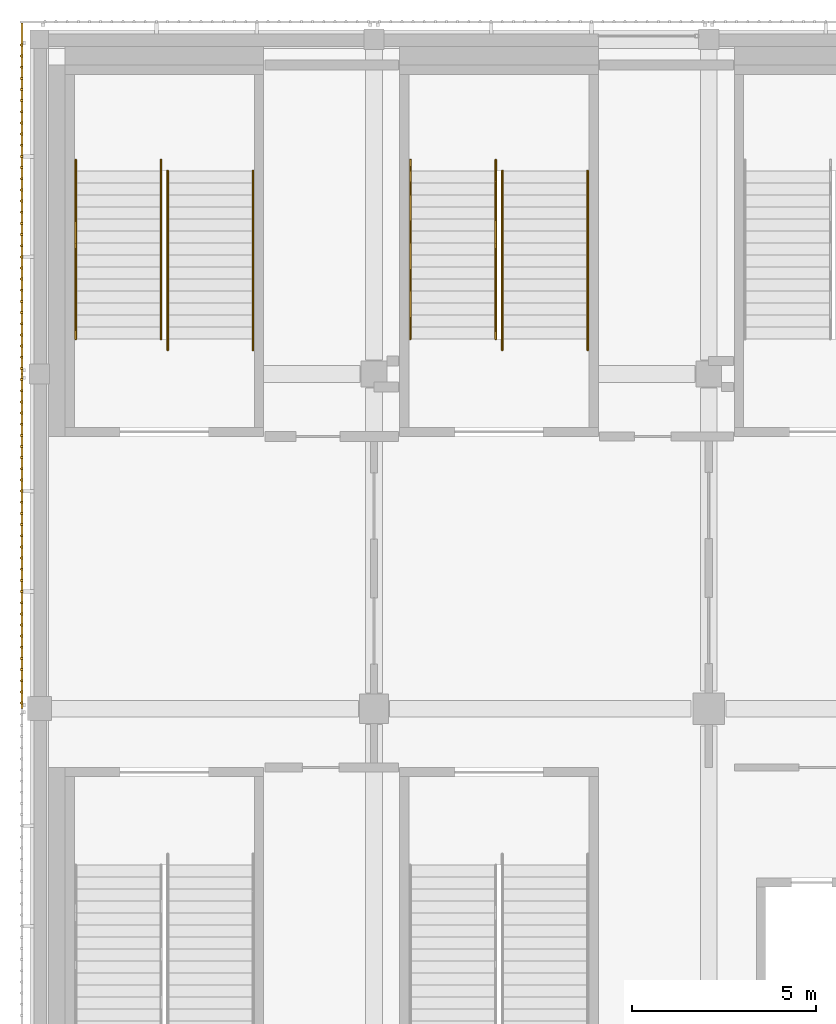
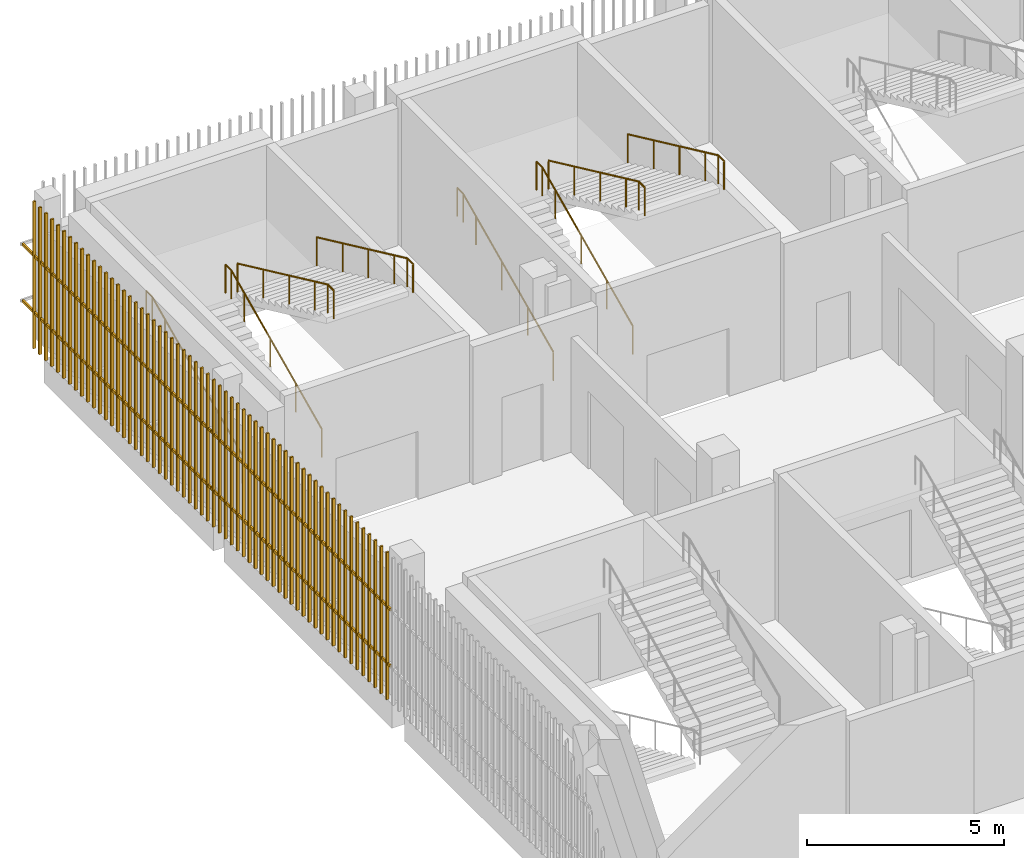
# One storey, part 114 of 126: 8 railings, 2 shading devices.
"""IFC4 building model written with IfcOpenShell, lengths in metres."""

from ifc_helpers import new_model, si_unit, direction, frame, origin, origin_2d, place, context, subcontext, project, spatial, rectangle, circle, extrude, material, type_object, element, save


model = new_model("IFC4")

# Units and contexts
model_context = context("Model", 3, precision=1e-05, world=origin(), true_north=direction((0.0, 1.0)))
body_context = subcontext(model_context, "Body", "Model", "MODEL_VIEW")
ifc_project = project(units=[si_unit("LENGTHUNIT", "METRE"), si_unit("AREAUNIT", "SQUARE_METRE"), si_unit("VOLUMEUNIT", "CUBIC_METRE"), si_unit("PLANEANGLEUNIT", "RADIAN"), si_unit("MASSUNIT", "GRAM", prefix="KILO")], contexts=[model_context])

# Site, building, storey
site_placement = place(None, origin())
site = spatial("IfcSite", under=ifc_project, at=site_placement, CompositionType="ELEMENT")
building_placement = place(site_placement, origin())
building = spatial("IfcBuilding", under=site, at=building_placement, Name="Shirokan Park Arena", CompositionType="ELEMENT")
storey_placement = place(building_placement, frame((0.0, 0.0, 6.3701171875)))
storey = spatial("IfcBuildingStorey", under=building, at=storey_placement, Name="L01", CompositionType="ELEMENT", Elevation=6.3701171875)

# Railings
ifc_material_1 = material(Name="Stainless steel", Category="steel")
railing_type = type_object("IfcRailingType", Name="Stair handrail 900", PredefinedType="HANDRAIL", material=ifc_material_1)
railing_1_placement = place(storey_placement, frame((0.989990234375, 101.050048828125, 0.151611328125)))
element("IfcRailing", 1, at=railing_1_placement, inside=storey, type_object=railing_type, Name="Handrail Exit Stair 4.A L01 to L02", PredefinedType="HANDRAIL", context=body_context, shape_type="SweptSolid", body=[
    extrude(circle(Radius=0.02392578125, at=origin_2d()), frame((0.0, 0.0, 0.8759765625), z_axis=(0.0, 0.906999720516, 0.421131222998), x_axis=(-1.0, 0.0, 0.0)), (0.0, 0.0, 1.0), 1.440673828125),
    extrude(circle(Radius=0.02392578125, at=origin_2d()), frame((0.0, 1.306640625, 1.482421875), z_axis=(0.0, 0.907029769225, 0.421066500378), x_axis=(-1.0, 0.0, 0.0)), (0.0, 0.0, 1.0), 1.44091796875),
    extrude(circle(Radius=0.02392578125, at=origin_2d()), frame((0.0, 2.613525390625, 2.08935546875), z_axis=(0.0, 0.907094476872, 0.420927083981), x_axis=(-1.0, 0.0, 0.0)), (0.0, 0.0, 1.0), 1.440673828125),
    extrude(circle(Radius=0.02392578125, at=origin_2d()), frame((0.0, 3.92041015625, 2.69580078125), z_axis=(0.0, 0.906934982928, 0.421270621741), x_axis=(-1.0, 0.0, 0.0)), (0.0, 0.0, 1.0), 0.720458984375),
    extrude(circle(Radius=0.02392578125, at=origin_2d()), frame((0.0, 4.57373046875, 2.9990234375), z_axis=(0.0, 1.0, 0.0), x_axis=(-1.0, 0.0, 0.0)), (0.0, 0.0, 1.0), 0.300048828125),
    extrude(circle(Radius=0.02099609375, at=origin_2d()), origin(), (0.0, 0.0, 1.0), 0.851806640625),
    extrude(circle(Radius=0.02099609375, at=origin_2d()), frame((0.0, 1.306640625, 0.606689453125)), (0.0, 0.0, 1.0), 0.851806640625),
    extrude(circle(Radius=0.02099609375, at=origin_2d()), frame((0.0, 2.613525390625, 1.21337890625)), (0.0, 0.0, 1.0), 0.851806640625),
    extrude(circle(Radius=0.02099609375, at=origin_2d()), frame((0.0, 3.92041015625, 1.81982421875)), (0.0, 0.0, 1.0), 0.851806640625),
    extrude(circle(Radius=0.02099609375, at=origin_2d()), frame((0.0, 4.57373046875, 2.123291015625)), (0.0, 0.0, 1.0), 0.851806640625),
    extrude(circle(Radius=0.02099609375, at=origin_2d()), frame((0.0, 4.873779296875, 2.123291015625)), (0.0, 0.0, 1.0), 0.851806640625),
])
railing_2_placement = place(storey_placement, frame((3.31005859375, 101.050048828125, 0.151611328125)))
element("IfcRailing", 2, at=railing_2_placement, inside=storey, type_object=railing_type, Name="Handrail Exit Stair 4.A L01 to L02", PredefinedType="HANDRAIL", context=body_context, shape_type="SweptSolid", body=[
    extrude(circle(Radius=0.02392578125, at=origin_2d()), frame((0.0, 0.0, 0.8759765625), z_axis=(0.0, 0.906999720516, 0.421131222998), x_axis=(-1.0, 0.0, 0.0)), (0.0, 0.0, 1.0), 1.440673828125),
    extrude(circle(Radius=0.02392578125, at=origin_2d()), frame((0.0, 1.306640625, 1.482421875), z_axis=(0.0, 0.907029769225, 0.421066500378), x_axis=(-1.0, 0.0, 0.0)), (0.0, 0.0, 1.0), 1.44091796875),
    extrude(circle(Radius=0.02392578125, at=origin_2d()), frame((0.0, 2.613525390625, 2.08935546875), z_axis=(0.0, 0.907094476872, 0.420927083981), x_axis=(-1.0, 0.0, 0.0)), (0.0, 0.0, 1.0), 1.440673828125),
    extrude(circle(Radius=0.02392578125, at=origin_2d()), frame((0.0, 3.92041015625, 2.69580078125), z_axis=(0.0, 0.906934982928, 0.421270621741), x_axis=(-1.0, 0.0, 0.0)), (0.0, 0.0, 1.0), 0.720458984375),
    extrude(circle(Radius=0.02392578125, at=origin_2d()), frame((0.0, 4.57373046875, 2.9990234375), z_axis=(0.0, 1.0, 0.0), x_axis=(-1.0, 0.0, 0.0)), (0.0, 0.0, 1.0), 0.300048828125),
    extrude(circle(Radius=0.02099609375, at=origin_2d()), origin(), (0.0, 0.0, 1.0), 0.851806640625),
    extrude(circle(Radius=0.02099609375, at=origin_2d()), frame((0.0, 1.306640625, 0.606689453125)), (0.0, 0.0, 1.0), 0.851806640625),
    extrude(circle(Radius=0.02099609375, at=origin_2d()), frame((0.0, 2.613525390625, 1.21337890625)), (0.0, 0.0, 1.0), 0.851806640625),
    extrude(circle(Radius=0.02099609375, at=origin_2d()), frame((0.0, 3.92041015625, 1.81982421875)), (0.0, 0.0, 1.0), 0.851806640625),
    extrude(circle(Radius=0.02099609375, at=origin_2d()), frame((0.0, 4.57373046875, 2.123291015625)), (0.0, 0.0, 1.0), 0.851806640625),
    extrude(circle(Radius=0.02099609375, at=origin_2d()), frame((0.0, 4.873779296875, 2.123291015625)), (0.0, 0.0, 1.0), 0.851806640625),
])
railing_3_placement = place(storey_placement, frame((3.489990234375, 105.623779296875, 2.426513671875)))
element("IfcRailing", 3, at=railing_3_placement, inside=storey, type_object=railing_type, Name="Handrail Exit Stair 4.A L01 to L02", PredefinedType="HANDRAIL", context=body_context, shape_type="SweptSolid", body=[
    extrude(circle(Radius=0.02392578125, at=origin_2d()), frame((0.0, 0.0, 0.8759765625), z_axis=(0.0, -0.907029769225, 0.421066500378), x_axis=(1.0, 0.0, 0.0)), (0.0, 0.0, 1.0), 1.44091796875),
    extrude(circle(Radius=0.02392578125, at=origin_2d()), frame((0.0, -1.306884765625, 1.482421875), z_axis=(0.0, -0.906999720516, 0.421131222998), x_axis=(1.0, 0.0, 0.0)), (0.0, 0.0, 1.0), 1.440673828125),
    extrude(circle(Radius=0.02392578125, at=origin_2d()), frame((0.0, -2.613525390625, 2.08935546875), z_axis=(0.0, -0.907029769225, 0.421066500378), x_axis=(1.0, 0.0, 0.0)), (0.0, 0.0, 1.0), 1.44091796875),
    extrude(circle(Radius=0.02392578125, at=origin_2d()), frame((0.0, -3.92041015625, 2.69580078125), z_axis=(0.0, -0.907064445915, 0.420991794405), x_axis=(1.0, 0.0, 0.0)), (0.0, 0.0, 1.0), 0.72021484375),
    extrude(circle(Radius=0.02392578125, at=origin_2d()), frame((0.0, -4.57373046875, 2.9990234375), z_axis=(0.0, -1.0, 0.0), x_axis=(1.0, 0.0, 0.0)), (0.0, 0.0, 1.0), 0.300048828125),
    extrude(circle(Radius=0.02099609375, at=origin_2d()), origin(), (0.0, 0.0, 1.0), 0.851806640625),
    extrude(circle(Radius=0.02099609375, at=origin_2d()), frame((0.0, -1.306884765625, 0.606689453125)), (0.0, 0.0, 1.0), 0.851806640625),
    extrude(circle(Radius=0.02099609375, at=origin_2d()), frame((0.0, -2.613525390625, 1.21337890625)), (0.0, 0.0, 1.0), 0.851806640625),
    extrude(circle(Radius=0.02099609375, at=origin_2d()), frame((0.0, -3.92041015625, 1.820068359375)), (0.0, 0.0, 1.0), 0.851806640625),
    extrude(circle(Radius=0.02099609375, at=origin_2d()), frame((0.0, -4.57373046875, 2.123291015625)), (0.0, 0.0, 1.0), 0.851806640625),
    extrude(circle(Radius=0.02099609375, at=origin_2d()), frame((0.0, -4.873779296875, 2.123291015625)), (0.0, 0.0, 1.0), 0.851806640625),
])
railing_4_placement = place(storey_placement, frame((5.81005859375, 105.623779296875, 2.426513671875)))
element("IfcRailing", 4, at=railing_4_placement, inside=storey, type_object=railing_type, Name="Handrail Exit Stair 4.A L01 to L02", PredefinedType="HANDRAIL", context=body_context, shape_type="SweptSolid", body=[
    extrude(circle(Radius=0.02392578125, at=origin_2d()), frame((0.0, 0.0, 0.8759765625), z_axis=(0.0, -0.907029769225, 0.421066500378), x_axis=(1.0, 0.0, 0.0)), (0.0, 0.0, 1.0), 1.44091796875),
    extrude(circle(Radius=0.02392578125, at=origin_2d()), frame((0.0, -1.306884765625, 1.482421875), z_axis=(0.0, -0.906999720516, 0.421131222998), x_axis=(1.0, 0.0, 0.0)), (0.0, 0.0, 1.0), 1.440673828125),
    extrude(circle(Radius=0.02392578125, at=origin_2d()), frame((0.0, -2.613525390625, 2.08935546875), z_axis=(0.0, -0.907029769225, 0.421066500378), x_axis=(1.0, 0.0, 0.0)), (0.0, 0.0, 1.0), 1.44091796875),
    extrude(circle(Radius=0.02392578125, at=origin_2d()), frame((0.0, -3.92041015625, 2.69580078125), z_axis=(0.0, -0.907064445915, 0.420991794405), x_axis=(1.0, 0.0, 0.0)), (0.0, 0.0, 1.0), 0.72021484375),
    extrude(circle(Radius=0.02392578125, at=origin_2d()), frame((0.0, -4.57373046875, 2.9990234375), z_axis=(0.0, -1.0, 0.0), x_axis=(1.0, 0.0, 0.0)), (0.0, 0.0, 1.0), 0.300048828125),
    extrude(circle(Radius=0.02099609375, at=origin_2d()), origin(), (0.0, 0.0, 1.0), 0.851806640625),
    extrude(circle(Radius=0.02099609375, at=origin_2d()), frame((0.0, -1.306884765625, 0.606689453125)), (0.0, 0.0, 1.0), 0.851806640625),
    extrude(circle(Radius=0.02099609375, at=origin_2d()), frame((0.0, -2.613525390625, 1.21337890625)), (0.0, 0.0, 1.0), 0.851806640625),
    extrude(circle(Radius=0.02099609375, at=origin_2d()), frame((0.0, -3.92041015625, 1.820068359375)), (0.0, 0.0, 1.0), 0.851806640625),
    extrude(circle(Radius=0.02099609375, at=origin_2d()), frame((0.0, -4.57373046875, 2.123291015625)), (0.0, 0.0, 1.0), 0.851806640625),
    extrude(circle(Radius=0.02099609375, at=origin_2d()), frame((0.0, -4.873779296875, 2.123291015625)), (0.0, 0.0, 1.0), 0.851806640625),
])
railing_5_placement = place(storey_placement, frame((10.090087890625, 101.050048828125, 0.151611328125)))
element("IfcRailing", 5, at=railing_5_placement, inside=storey, type_object=railing_type, Name="Handrail Exit Stair 4.B L01 to L02", PredefinedType="HANDRAIL", context=body_context, shape_type="SweptSolid", body=[
    extrude(circle(Radius=0.02392578125, at=origin_2d()), frame((0.0, 0.0, 0.8759765625), z_axis=(0.0, 0.906999720516, 0.421131222998), x_axis=(-1.0, 0.0, 0.0)), (0.0, 0.0, 1.0), 1.440673828125),
    extrude(circle(Radius=0.02392578125, at=origin_2d()), frame((0.0, 1.306640625, 1.482421875), z_axis=(0.0, 0.907029769225, 0.421066500378), x_axis=(-1.0, 0.0, 0.0)), (0.0, 0.0, 1.0), 1.44091796875),
    extrude(circle(Radius=0.02392578125, at=origin_2d()), frame((0.0, 2.613525390625, 2.08935546875), z_axis=(0.0, 0.907094476872, 0.420927083981), x_axis=(-1.0, 0.0, 0.0)), (0.0, 0.0, 1.0), 1.440673828125),
    extrude(circle(Radius=0.02392578125, at=origin_2d()), frame((0.0, 3.92041015625, 2.69580078125), z_axis=(0.0, 0.906934982928, 0.421270621741), x_axis=(-1.0, 0.0, 0.0)), (0.0, 0.0, 1.0), 0.720458984375),
    extrude(circle(Radius=0.02392578125, at=origin_2d()), frame((0.0, 4.57373046875, 2.9990234375), z_axis=(0.0, 1.0, 0.0), x_axis=(-1.0, 0.0, 0.0)), (0.0, 0.0, 1.0), 0.300048828125),
    extrude(circle(Radius=0.02099609375, at=origin_2d()), origin(), (0.0, 0.0, 1.0), 0.851806640625),
    extrude(circle(Radius=0.02099609375, at=origin_2d()), frame((0.0, 1.306640625, 0.606689453125)), (0.0, 0.0, 1.0), 0.851806640625),
    extrude(circle(Radius=0.02099609375, at=origin_2d()), frame((0.0, 2.613525390625, 1.21337890625)), (0.0, 0.0, 1.0), 0.851806640625),
    extrude(circle(Radius=0.02099609375, at=origin_2d()), frame((0.0, 3.92041015625, 1.81982421875)), (0.0, 0.0, 1.0), 0.851806640625),
    extrude(circle(Radius=0.02099609375, at=origin_2d()), frame((0.0, 4.57373046875, 2.123291015625)), (0.0, 0.0, 1.0), 0.851806640625),
    extrude(circle(Radius=0.02099609375, at=origin_2d()), frame((0.0, 4.873779296875, 2.123291015625)), (0.0, 0.0, 1.0), 0.851806640625),
])
railing_6_placement = place(storey_placement, frame((12.409912109375, 101.050048828125, 0.151611328125)))
element("IfcRailing", 6, at=railing_6_placement, inside=storey, type_object=railing_type, Name="Handrail Exit Stair 4.B L01 to L02", PredefinedType="HANDRAIL", context=body_context, shape_type="SweptSolid", body=[
    extrude(circle(Radius=0.02392578125, at=origin_2d()), frame((0.0, 0.0, 0.8759765625), z_axis=(0.0, 0.906999720516, 0.421131222998), x_axis=(-1.0, 0.0, 0.0)), (0.0, 0.0, 1.0), 1.440673828125),
    extrude(circle(Radius=0.02392578125, at=origin_2d()), frame((0.0, 1.306640625, 1.482421875), z_axis=(0.0, 0.907029769225, 0.421066500378), x_axis=(-1.0, 0.0, 0.0)), (0.0, 0.0, 1.0), 1.44091796875),
    extrude(circle(Radius=0.02392578125, at=origin_2d()), frame((0.0, 2.613525390625, 2.08935546875), z_axis=(0.0, 0.907094476872, 0.420927083981), x_axis=(-1.0, 0.0, 0.0)), (0.0, 0.0, 1.0), 1.440673828125),
    extrude(circle(Radius=0.02392578125, at=origin_2d()), frame((0.0, 3.92041015625, 2.69580078125), z_axis=(0.0, 0.906934982928, 0.421270621741), x_axis=(-1.0, 0.0, 0.0)), (0.0, 0.0, 1.0), 0.720458984375),
    extrude(circle(Radius=0.02392578125, at=origin_2d()), frame((0.0, 4.57373046875, 2.9990234375), z_axis=(0.0, 1.0, 0.0), x_axis=(-1.0, 0.0, 0.0)), (0.0, 0.0, 1.0), 0.300048828125),
    extrude(circle(Radius=0.02099609375, at=origin_2d()), origin(), (0.0, 0.0, 1.0), 0.851806640625),
    extrude(circle(Radius=0.02099609375, at=origin_2d()), frame((0.0, 1.306640625, 0.606689453125)), (0.0, 0.0, 1.0), 0.851806640625),
    extrude(circle(Radius=0.02099609375, at=origin_2d()), frame((0.0, 2.613525390625, 1.21337890625)), (0.0, 0.0, 1.0), 0.851806640625),
    extrude(circle(Radius=0.02099609375, at=origin_2d()), frame((0.0, 3.92041015625, 1.81982421875)), (0.0, 0.0, 1.0), 0.851806640625),
    extrude(circle(Radius=0.02099609375, at=origin_2d()), frame((0.0, 4.57373046875, 2.123291015625)), (0.0, 0.0, 1.0), 0.851806640625),
    extrude(circle(Radius=0.02099609375, at=origin_2d()), frame((0.0, 4.873779296875, 2.123291015625)), (0.0, 0.0, 1.0), 0.851806640625),
])
railing_7_placement = place(storey_placement, frame((12.590087890625, 105.623779296875, 2.426513671875)))
element("IfcRailing", 7, at=railing_7_placement, inside=storey, type_object=railing_type, Name="Handrail Exit Stair 4.B L01 to L02", PredefinedType="HANDRAIL", context=body_context, shape_type="SweptSolid", body=[
    extrude(circle(Radius=0.02392578125, at=origin_2d()), frame((0.0, 0.0, 0.8759765625), z_axis=(0.0, -0.907029769225, 0.421066500378), x_axis=(1.0, 0.0, 0.0)), (0.0, 0.0, 1.0), 1.44091796875),
    extrude(circle(Radius=0.02392578125, at=origin_2d()), frame((0.0, -1.306884765625, 1.482421875), z_axis=(0.0, -0.906999720516, 0.421131222998), x_axis=(1.0, 0.0, 0.0)), (0.0, 0.0, 1.0), 1.440673828125),
    extrude(circle(Radius=0.02392578125, at=origin_2d()), frame((0.0, -2.613525390625, 2.08935546875), z_axis=(0.0, -0.907029769225, 0.421066500378), x_axis=(1.0, 0.0, 0.0)), (0.0, 0.0, 1.0), 1.44091796875),
    extrude(circle(Radius=0.02392578125, at=origin_2d()), frame((0.0, -3.92041015625, 2.69580078125), z_axis=(0.0, -0.907064445915, 0.420991794405), x_axis=(1.0, 0.0, 0.0)), (0.0, 0.0, 1.0), 0.72021484375),
    extrude(circle(Radius=0.02392578125, at=origin_2d()), frame((0.0, -4.57373046875, 2.9990234375), z_axis=(0.0, -1.0, 0.0), x_axis=(1.0, 0.0, 0.0)), (0.0, 0.0, 1.0), 0.300048828125),
    extrude(circle(Radius=0.02099609375, at=origin_2d()), origin(), (0.0, 0.0, 1.0), 0.851806640625),
    extrude(circle(Radius=0.02099609375, at=origin_2d()), frame((0.0, -1.306884765625, 0.606689453125)), (0.0, 0.0, 1.0), 0.851806640625),
    extrude(circle(Radius=0.02099609375, at=origin_2d()), frame((0.0, -2.613525390625, 1.21337890625)), (0.0, 0.0, 1.0), 0.851806640625),
    extrude(circle(Radius=0.02099609375, at=origin_2d()), frame((0.0, -3.92041015625, 1.820068359375)), (0.0, 0.0, 1.0), 0.851806640625),
    extrude(circle(Radius=0.02099609375, at=origin_2d()), frame((0.0, -4.57373046875, 2.123291015625)), (0.0, 0.0, 1.0), 0.851806640625),
    extrude(circle(Radius=0.02099609375, at=origin_2d()), frame((0.0, -4.873779296875, 2.123291015625)), (0.0, 0.0, 1.0), 0.851806640625),
])
railing_8_placement = place(storey_placement, frame((14.909912109375, 105.623779296875, 2.426513671875)))
element("IfcRailing", 8, at=railing_8_placement, inside=storey, type_object=railing_type, Name="Handrail Exit Stair 4.B L01 to L02", PredefinedType="HANDRAIL", context=body_context, shape_type="SweptSolid", body=[
    extrude(circle(Radius=0.02392578125, at=origin_2d()), frame((0.0, 0.0, 0.8759765625), z_axis=(0.0, -0.907029769225, 0.421066500378), x_axis=(1.0, 0.0, 0.0)), (0.0, 0.0, 1.0), 1.44091796875),
    extrude(circle(Radius=0.02392578125, at=origin_2d()), frame((0.0, -1.306884765625, 1.482421875), z_axis=(0.0, -0.906999720516, 0.421131222998), x_axis=(1.0, 0.0, 0.0)), (0.0, 0.0, 1.0), 1.440673828125),
    extrude(circle(Radius=0.02392578125, at=origin_2d()), frame((0.0, -2.613525390625, 2.08935546875), z_axis=(0.0, -0.907029769225, 0.421066500378), x_axis=(1.0, 0.0, 0.0)), (0.0, 0.0, 1.0), 1.44091796875),
    extrude(circle(Radius=0.02392578125, at=origin_2d()), frame((0.0, -3.92041015625, 2.69580078125), z_axis=(0.0, -0.907064445915, 0.420991794405), x_axis=(1.0, 0.0, 0.0)), (0.0, 0.0, 1.0), 0.72021484375),
    extrude(circle(Radius=0.02392578125, at=origin_2d()), frame((0.0, -4.57373046875, 2.9990234375), z_axis=(0.0, -1.0, 0.0), x_axis=(1.0, 0.0, 0.0)), (0.0, 0.0, 1.0), 0.300048828125),
    extrude(circle(Radius=0.02099609375, at=origin_2d()), origin(), (0.0, 0.0, 1.0), 0.851806640625),
    extrude(circle(Radius=0.02099609375, at=origin_2d()), frame((0.0, -1.306884765625, 0.606689453125)), (0.0, 0.0, 1.0), 0.851806640625),
    extrude(circle(Radius=0.02099609375, at=origin_2d()), frame((0.0, -2.613525390625, 1.21337890625)), (0.0, 0.0, 1.0), 0.851806640625),
    extrude(circle(Radius=0.02099609375, at=origin_2d()), frame((0.0, -3.92041015625, 1.820068359375)), (0.0, 0.0, 1.0), 0.851806640625),
    extrude(circle(Radius=0.02099609375, at=origin_2d()), frame((0.0, -4.57373046875, 2.123291015625)), (0.0, 0.0, 1.0), 0.851806640625),
    extrude(circle(Radius=0.02099609375, at=origin_2d()), frame((0.0, -4.873779296875, 2.123291015625)), (0.0, 0.0, 1.0), 0.851806640625),
])

# Shading devices
ifc_material_2 = material(Name="Timber louvre veil (cedar)", Category="wood")
shading_device_type = type_object("IfcShadingDeviceType", Name="Timber louvre veil panel", PredefinedType="JALOUSIE", material=ifc_material_2)
shading_device_1_placement = place(storey_placement, origin())
element("IfcShadingDevice", 9, at=shading_device_1_placement, inside=storey, type_object=shading_device_type, Name="Timber louvre veil west bay 1 L01", PredefinedType="JALOUSIE", context=body_context, shape_type="SweptSolid", body=[
    extrude(rectangle(XDim=0.050048828125, YDim=0.080078125, at=origin_2d()), frame((-0.485107421875, 109.04833984375, 0.0), z_axis=(0.0, 0.0, 1.0), x_axis=(0.0, -1.0, 0.0)), (0.0, 0.0, 1.0), 4.550048828125),
    extrude(rectangle(XDim=0.050048828125, YDim=0.080078125, at=origin_2d()), frame((-0.485107421875, 108.7451171875, 0.0), z_axis=(0.0, 0.0, 1.0), x_axis=(0.0, -1.0, 0.0)), (0.0, 0.0, 1.0), 4.550048828125),
    extrude(rectangle(XDim=0.050048828125, YDim=0.080078125, at=origin_2d()), frame((-0.485107421875, 108.441650390625, 0.0), z_axis=(0.0, 0.0, 1.0), x_axis=(0.0, -1.0, 0.0)), (0.0, 0.0, 1.0), 4.550048828125),
    extrude(rectangle(XDim=0.050048828125, YDim=0.080078125, at=origin_2d()), frame((-0.485107421875, 108.138427734375, 0.0), z_axis=(0.0, 0.0, 1.0), x_axis=(0.0, -1.0, 0.0)), (0.0, 0.0, 1.0), 4.550048828125),
    extrude(rectangle(XDim=0.050048828125, YDim=0.080078125, at=origin_2d()), frame((-0.485107421875, 107.8349609375, 0.0), z_axis=(0.0, 0.0, 1.0), x_axis=(0.0, -1.0, 0.0)), (0.0, 0.0, 1.0), 4.550048828125),
    extrude(rectangle(XDim=0.050048828125, YDim=0.080078125, at=origin_2d()), frame((-0.485107421875, 107.53173828125, 0.0), z_axis=(0.0, 0.0, 1.0), x_axis=(0.0, -1.0, 0.0)), (0.0, 0.0, 1.0), 4.550048828125),
    extrude(rectangle(XDim=0.050048828125, YDim=0.080078125, at=origin_2d()), frame((-0.485107421875, 107.228271484375, 0.0), z_axis=(0.0, 0.0, 1.0), x_axis=(0.0, -1.0, 0.0)), (0.0, 0.0, 1.0), 4.550048828125),
    extrude(rectangle(XDim=0.050048828125, YDim=0.080078125, at=origin_2d()), frame((-0.485107421875, 106.925048828125, 0.0), z_axis=(0.0, 0.0, 1.0), x_axis=(0.0, -1.0, 0.0)), (0.0, 0.0, 1.0), 4.550048828125),
    extrude(rectangle(XDim=0.050048828125, YDim=0.080078125, at=origin_2d()), frame((-0.485107421875, 106.62158203125, 0.0), z_axis=(0.0, 0.0, 1.0), x_axis=(0.0, -1.0, 0.0)), (0.0, 0.0, 1.0), 4.550048828125),
    extrude(rectangle(XDim=0.050048828125, YDim=0.080078125, at=origin_2d()), frame((-0.485107421875, 106.318359375, 0.0), z_axis=(0.0, 0.0, 1.0), x_axis=(0.0, -1.0, 0.0)), (0.0, 0.0, 1.0), 4.550048828125),
    extrude(rectangle(XDim=0.050048828125, YDim=0.080078125, at=origin_2d()), frame((-0.485107421875, 106.014892578125, 0.0), z_axis=(0.0, 0.0, 1.0), x_axis=(0.0, -1.0, 0.0)), (0.0, 0.0, 1.0), 4.550048828125),
    extrude(rectangle(XDim=0.050048828125, YDim=0.080078125, at=origin_2d()), frame((-0.485107421875, 105.711669921875, 0.0), z_axis=(0.0, 0.0, 1.0), x_axis=(0.0, -1.0, 0.0)), (0.0, 0.0, 1.0), 4.550048828125),
    extrude(rectangle(XDim=0.050048828125, YDim=0.080078125, at=origin_2d()), frame((-0.485107421875, 105.408447265625, 0.0), z_axis=(0.0, 0.0, 1.0), x_axis=(0.0, -1.0, 0.0)), (0.0, 0.0, 1.0), 4.550048828125),
    extrude(rectangle(XDim=0.050048828125, YDim=0.080078125, at=origin_2d()), frame((-0.485107421875, 105.10498046875, 0.0), z_axis=(0.0, 0.0, 1.0), x_axis=(0.0, -1.0, 0.0)), (0.0, 0.0, 1.0), 4.550048828125),
    extrude(rectangle(XDim=0.050048828125, YDim=0.080078125, at=origin_2d()), frame((-0.485107421875, 104.8017578125, 0.0), z_axis=(0.0, 0.0, 1.0), x_axis=(0.0, -1.0, 0.0)), (0.0, 0.0, 1.0), 4.550048828125),
    extrude(rectangle(XDim=0.050048828125, YDim=0.080078125, at=origin_2d()), frame((-0.485107421875, 104.498291015625, 0.0), z_axis=(0.0, 0.0, 1.0), x_axis=(0.0, -1.0, 0.0)), (0.0, 0.0, 1.0), 4.550048828125),
    extrude(rectangle(XDim=0.050048828125, YDim=0.080078125, at=origin_2d()), frame((-0.485107421875, 104.195068359375, 0.0), z_axis=(0.0, 0.0, 1.0), x_axis=(0.0, -1.0, 0.0)), (0.0, 0.0, 1.0), 4.550048828125),
    extrude(rectangle(XDim=0.050048828125, YDim=0.080078125, at=origin_2d()), frame((-0.485107421875, 103.8916015625, 0.0), z_axis=(0.0, 0.0, 1.0), x_axis=(0.0, -1.0, 0.0)), (0.0, 0.0, 1.0), 4.550048828125),
    extrude(rectangle(XDim=0.050048828125, YDim=0.080078125, at=origin_2d()), frame((-0.485107421875, 103.58837890625, 0.0), z_axis=(0.0, 0.0, 1.0), x_axis=(0.0, -1.0, 0.0)), (0.0, 0.0, 1.0), 4.550048828125),
    extrude(rectangle(XDim=0.050048828125, YDim=0.080078125, at=origin_2d()), frame((-0.485107421875, 103.284912109375, 0.0), z_axis=(0.0, 0.0, 1.0), x_axis=(0.0, -1.0, 0.0)), (0.0, 0.0, 1.0), 4.550048828125),
    extrude(rectangle(XDim=0.050048828125, YDim=0.080078125, at=origin_2d()), frame((-0.485107421875, 102.981689453125, 0.0), z_axis=(0.0, 0.0, 1.0), x_axis=(0.0, -1.0, 0.0)), (0.0, 0.0, 1.0), 4.550048828125),
    extrude(rectangle(XDim=0.050048828125, YDim=0.080078125, at=origin_2d()), frame((-0.485107421875, 102.67822265625, 0.0), z_axis=(0.0, 0.0, 1.0), x_axis=(0.0, -1.0, 0.0)), (0.0, 0.0, 1.0), 4.550048828125),
    extrude(rectangle(XDim=0.050048828125, YDim=0.080078125, at=origin_2d()), frame((-0.485107421875, 102.375, 0.0), z_axis=(0.0, 0.0, 1.0), x_axis=(0.0, -1.0, 0.0)), (0.0, 0.0, 1.0), 4.550048828125),
    extrude(rectangle(XDim=0.050048828125, YDim=0.080078125, at=origin_2d()), frame((-0.485107421875, 102.07177734375, 0.0), z_axis=(0.0, 0.0, 1.0), x_axis=(0.0, -1.0, 0.0)), (0.0, 0.0, 1.0), 4.550048828125),
    extrude(rectangle(XDim=0.050048828125, YDim=0.080078125, at=origin_2d()), frame((-0.485107421875, 101.768310546875, 0.0), z_axis=(0.0, 0.0, 1.0), x_axis=(0.0, -1.0, 0.0)), (0.0, 0.0, 1.0), 4.550048828125),
    extrude(rectangle(XDim=0.050048828125, YDim=0.080078125, at=origin_2d()), frame((-0.485107421875, 101.465087890625, 0.0), z_axis=(0.0, 0.0, 1.0), x_axis=(0.0, -1.0, 0.0)), (0.0, 0.0, 1.0), 4.550048828125),
    extrude(rectangle(XDim=0.050048828125, YDim=0.080078125, at=origin_2d()), frame((-0.485107421875, 101.16162109375, 0.0), z_axis=(0.0, 0.0, 1.0), x_axis=(0.0, -1.0, 0.0)), (0.0, 0.0, 1.0), 4.550048828125),
    extrude(rectangle(XDim=0.050048828125, YDim=0.080078125, at=origin_2d()), frame((-0.485107421875, 100.8583984375, 0.0), z_axis=(0.0, 0.0, 1.0), x_axis=(0.0, -1.0, 0.0)), (0.0, 0.0, 1.0), 4.550048828125),
    extrude(rectangle(XDim=0.050048828125, YDim=0.080078125, at=origin_2d()), frame((-0.485107421875, 100.554931640625, 0.0), z_axis=(0.0, 0.0, 1.0), x_axis=(0.0, -1.0, 0.0)), (0.0, 0.0, 1.0), 4.550048828125),
    extrude(rectangle(XDim=0.050048828125, YDim=0.080078125, at=origin_2d()), frame((-0.485107421875, 100.251708984375, 0.0), z_axis=(0.0, 0.0, 1.0), x_axis=(0.0, -1.0, 0.0)), (0.0, 0.0, 1.0), 4.550048828125),
    extrude(rectangle(XDim=9.544921875, YDim=0.050048828125, at=origin_2d()), frame((-0.469970703125, 104.87255859375, 1.059814453125), z_axis=(0.0, 0.0, 1.0), x_axis=(0.0, -1.0, 0.0)), (0.0, 0.0, 1.0), 0.080078125),
    extrude(rectangle(XDim=9.544921875, YDim=0.050048828125, at=origin_2d()), frame((-0.469970703125, 104.87255859375, 2.809814453125), z_axis=(0.0, 0.0, 1.0), x_axis=(0.0, -1.0, 0.0)), (0.0, 0.0, 1.0), 0.080078125),
])
shading_device_2_placement = place(storey_placement, origin())
element("IfcShadingDevice", 10, at=shading_device_2_placement, inside=storey, type_object=shading_device_type, Name="Timber louvre veil west bay 2 L01", PredefinedType="JALOUSIE", context=body_context, shape_type="SweptSolid", body=[
    extrude(rectangle(XDim=0.050048828125, YDim=0.080078125, at=origin_2d()), frame((-0.485107421875, 99.9482421875, 0.0), z_axis=(0.0, 0.0, 1.0), x_axis=(0.0, -1.0, 0.0)), (0.0, 0.0, 1.0), 4.550048828125),
    extrude(rectangle(XDim=0.050048828125, YDim=0.080078125, at=origin_2d()), frame((-0.485107421875, 99.64501953125, 0.0), z_axis=(0.0, 0.0, 1.0), x_axis=(0.0, -1.0, 0.0)), (0.0, 0.0, 1.0), 4.550048828125),
    extrude(rectangle(XDim=0.050048828125, YDim=0.080078125, at=origin_2d()), frame((-0.485107421875, 99.341552734375, 0.0), z_axis=(0.0, 0.0, 1.0), x_axis=(0.0, -1.0, 0.0)), (0.0, 0.0, 1.0), 4.550048828125),
    extrude(rectangle(XDim=0.050048828125, YDim=0.080078125, at=origin_2d()), frame((-0.485107421875, 99.038330078125, 0.0), z_axis=(0.0, 0.0, 1.0), x_axis=(0.0, -1.0, 0.0)), (0.0, 0.0, 1.0), 4.550048828125),
    extrude(rectangle(XDim=0.050048828125, YDim=0.080078125, at=origin_2d()), frame((-0.485107421875, 98.735107421875, 0.0), z_axis=(0.0, 0.0, 1.0), x_axis=(0.0, -1.0, 0.0)), (0.0, 0.0, 1.0), 4.550048828125),
    extrude(rectangle(XDim=0.050048828125, YDim=0.080078125, at=origin_2d()), frame((-0.485107421875, 98.431640625, 0.0), z_axis=(0.0, 0.0, 1.0), x_axis=(0.0, -1.0, 0.0)), (0.0, 0.0, 1.0), 4.550048828125),
    extrude(rectangle(XDim=0.050048828125, YDim=0.080078125, at=origin_2d()), frame((-0.485107421875, 98.12841796875, 0.0), z_axis=(0.0, 0.0, 1.0), x_axis=(0.0, -1.0, 0.0)), (0.0, 0.0, 1.0), 4.550048828125),
    extrude(rectangle(XDim=0.050048828125, YDim=0.080078125, at=origin_2d()), frame((-0.485107421875, 97.824951171875, 0.0), z_axis=(0.0, 0.0, 1.0), x_axis=(0.0, -1.0, 0.0)), (0.0, 0.0, 1.0), 4.550048828125),
    extrude(rectangle(XDim=0.050048828125, YDim=0.080078125, at=origin_2d()), frame((-0.485107421875, 97.521728515625, 0.0), z_axis=(0.0, 0.0, 1.0), x_axis=(0.0, -1.0, 0.0)), (0.0, 0.0, 1.0), 4.550048828125),
    extrude(rectangle(XDim=0.050048828125, YDim=0.080078125, at=origin_2d()), frame((-0.485107421875, 97.21826171875, 0.0), z_axis=(0.0, 0.0, 1.0), x_axis=(0.0, -1.0, 0.0)), (0.0, 0.0, 1.0), 4.550048828125),
    extrude(rectangle(XDim=0.050048828125, YDim=0.080078125, at=origin_2d()), frame((-0.485107421875, 96.9150390625, 0.0), z_axis=(0.0, 0.0, 1.0), x_axis=(0.0, -1.0, 0.0)), (0.0, 0.0, 1.0), 4.550048828125),
    extrude(rectangle(XDim=0.050048828125, YDim=0.080078125, at=origin_2d()), frame((-0.485107421875, 96.611572265625, 0.0), z_axis=(0.0, 0.0, 1.0), x_axis=(0.0, -1.0, 0.0)), (0.0, 0.0, 1.0), 4.550048828125),
    extrude(rectangle(XDim=0.050048828125, YDim=0.080078125, at=origin_2d()), frame((-0.485107421875, 96.308349609375, 0.0), z_axis=(0.0, 0.0, 1.0), x_axis=(0.0, -1.0, 0.0)), (0.0, 0.0, 1.0), 4.550048828125),
    extrude(rectangle(XDim=0.050048828125, YDim=0.080078125, at=origin_2d()), frame((-0.485107421875, 96.0048828125, 0.0), z_axis=(0.0, 0.0, 1.0), x_axis=(0.0, -1.0, 0.0)), (0.0, 0.0, 1.0), 4.550048828125),
    extrude(rectangle(XDim=0.050048828125, YDim=0.080078125, at=origin_2d()), frame((-0.485107421875, 95.70166015625, 0.0), z_axis=(0.0, 0.0, 1.0), x_axis=(0.0, -1.0, 0.0)), (0.0, 0.0, 1.0), 4.550048828125),
    extrude(rectangle(XDim=0.050048828125, YDim=0.080078125, at=origin_2d()), frame((-0.485107421875, 95.3984375, 0.0), z_axis=(0.0, 0.0, 1.0), x_axis=(0.0, -1.0, 0.0)), (0.0, 0.0, 1.0), 4.550048828125),
    extrude(rectangle(XDim=0.050048828125, YDim=0.080078125, at=origin_2d()), frame((-0.485107421875, 95.094970703125, 0.0), z_axis=(0.0, 0.0, 1.0), x_axis=(0.0, -1.0, 0.0)), (0.0, 0.0, 1.0), 4.550048828125),
    extrude(rectangle(XDim=0.050048828125, YDim=0.080078125, at=origin_2d()), frame((-0.485107421875, 94.791748046875, 0.0), z_axis=(0.0, 0.0, 1.0), x_axis=(0.0, -1.0, 0.0)), (0.0, 0.0, 1.0), 4.550048828125),
    extrude(rectangle(XDim=0.050048828125, YDim=0.080078125, at=origin_2d()), frame((-0.485107421875, 94.48828125, 0.0), z_axis=(0.0, 0.0, 1.0), x_axis=(0.0, -1.0, 0.0)), (0.0, 0.0, 1.0), 4.550048828125),
    extrude(rectangle(XDim=0.050048828125, YDim=0.080078125, at=origin_2d()), frame((-0.485107421875, 94.18505859375, 0.0), z_axis=(0.0, 0.0, 1.0), x_axis=(0.0, -1.0, 0.0)), (0.0, 0.0, 1.0), 4.550048828125),
    extrude(rectangle(XDim=0.050048828125, YDim=0.080078125, at=origin_2d()), frame((-0.485107421875, 93.881591796875, 0.0), z_axis=(0.0, 0.0, 1.0), x_axis=(0.0, -1.0, 0.0)), (0.0, 0.0, 1.0), 4.550048828125),
    extrude(rectangle(XDim=0.050048828125, YDim=0.080078125, at=origin_2d()), frame((-0.485107421875, 93.578369140625, 0.0), z_axis=(0.0, 0.0, 1.0), x_axis=(0.0, -1.0, 0.0)), (0.0, 0.0, 1.0), 4.550048828125),
    extrude(rectangle(XDim=0.050048828125, YDim=0.080078125, at=origin_2d()), frame((-0.485107421875, 93.27490234375, 0.0), z_axis=(0.0, 0.0, 1.0), x_axis=(0.0, -1.0, 0.0)), (0.0, 0.0, 1.0), 4.550048828125),
    extrude(rectangle(XDim=0.050048828125, YDim=0.080078125, at=origin_2d()), frame((-0.485107421875, 92.9716796875, 0.0), z_axis=(0.0, 0.0, 1.0), x_axis=(0.0, -1.0, 0.0)), (0.0, 0.0, 1.0), 4.550048828125),
    extrude(rectangle(XDim=0.050048828125, YDim=0.080078125, at=origin_2d()), frame((-0.485107421875, 92.668212890625, 0.0), z_axis=(0.0, 0.0, 1.0), x_axis=(0.0, -1.0, 0.0)), (0.0, 0.0, 1.0), 4.550048828125),
    extrude(rectangle(XDim=0.050048828125, YDim=0.080078125, at=origin_2d()), frame((-0.485107421875, 92.364990234375, 0.0), z_axis=(0.0, 0.0, 1.0), x_axis=(0.0, -1.0, 0.0)), (0.0, 0.0, 1.0), 4.550048828125),
    extrude(rectangle(XDim=0.050048828125, YDim=0.080078125, at=origin_2d()), frame((-0.485107421875, 92.061767578125, 0.0), z_axis=(0.0, 0.0, 1.0), x_axis=(0.0, -1.0, 0.0)), (0.0, 0.0, 1.0), 4.550048828125),
    extrude(rectangle(XDim=0.050048828125, YDim=0.080078125, at=origin_2d()), frame((-0.485107421875, 91.75830078125, 0.0), z_axis=(0.0, 0.0, 1.0), x_axis=(0.0, -1.0, 0.0)), (0.0, 0.0, 1.0), 4.550048828125),
    extrude(rectangle(XDim=0.050048828125, YDim=0.080078125, at=origin_2d()), frame((-0.485107421875, 91.455078125, 0.0), z_axis=(0.0, 0.0, 1.0), x_axis=(0.0, -1.0, 0.0)), (0.0, 0.0, 1.0), 4.550048828125),
    extrude(rectangle(XDim=0.050048828125, YDim=0.080078125, at=origin_2d()), frame((-0.485107421875, 91.151611328125, 0.0), z_axis=(0.0, 0.0, 1.0), x_axis=(0.0, -1.0, 0.0)), (0.0, 0.0, 1.0), 4.550048828125),
    extrude(rectangle(XDim=9.10009765625, YDim=0.050048828125, at=origin_2d()), frame((-0.469970703125, 95.550048828125, 1.059814453125), z_axis=(0.0, 0.0, 1.0), x_axis=(0.0, -1.0, 0.0)), (0.0, 0.0, 1.0), 0.080078125),
    extrude(rectangle(XDim=9.10009765625, YDim=0.050048828125, at=origin_2d()), frame((-0.469970703125, 95.550048828125, 2.809814453125), z_axis=(0.0, 0.0, 1.0), x_axis=(0.0, -1.0, 0.0)), (0.0, 0.0, 1.0), 0.080078125),
])

save(model, "model.ifc")
